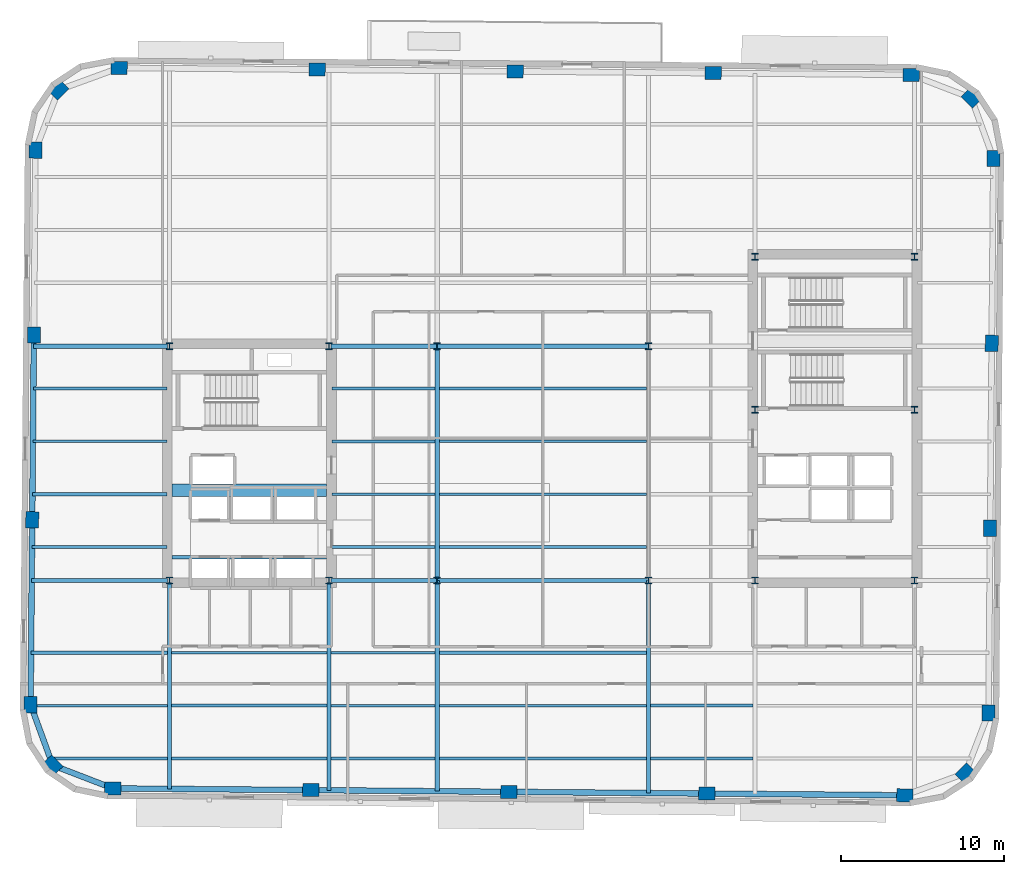
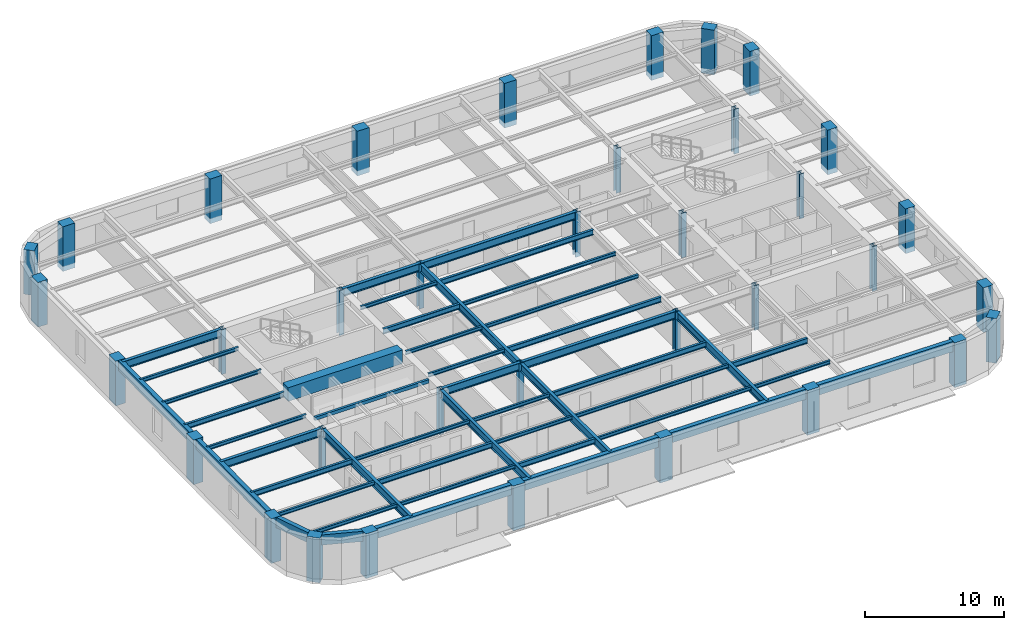
# One storey, part 1 of 11: 47 beams, 36 columns.
"""IFC4 building model written with IfcOpenShell, lengths in metres."""

import ifcopenshell
import ifcopenshell.guid

model = None  # the IFC model being written
_history = None  # IfcOwnerHistory: only IFC2X3 demands one
_inside = {}  # id of a spatial element -> (the spatial element, [elements in it])
_under = {}  # id of a project, library or spatial element -> (it, [spatial elements below it])
_declared = {}  # id of a project -> (the project, [libraries it declares])
_typed = {}  # id of a type object -> (the type object, [elements of that type])
_made_of = {}  # id of a material, layer set ... -> (it, [elements and type objects made of it])


def new_model(schema):
    """Start an empty IFC model of exactly this schema.

    Asked for "IFC4X3", IfcOpenShell would pick the latest addendum, in which some entities
    have other attributes; the version numbers below select the first issue.
    IFC2X3 requires an IfcOwnerHistory on every rooted entity: one is made here for all.
    """
    global model, _history
    if schema == "IFC4X3":
        model = ifcopenshell.file(schema_version=(4, 3, 0, 0))
    else:
        model = ifcopenshell.file(schema=schema)
    _inside.clear()
    _under.clear()
    _declared.clear()
    _typed.clear()
    _made_of.clear()
    _history = None
    if model.schema == "IFC2X3":
        org = make("IfcOrganization", Name="unknown")
        user = make(
            "IfcPersonAndOrganization",
            ThePerson=make("IfcPerson", FamilyName="unknown"),
            TheOrganization=org,
        )
        app = make(
            "IfcApplication",
            ApplicationDeveloper=org,
            Version="unknown",
            ApplicationFullName="unknown",
            ApplicationIdentifier="unknown",
        )
        _history = make(
            "IfcOwnerHistory",
            OwningUser=user,
            OwningApplication=app,
            ChangeAction="ADDED",
            CreationDate=0,
        )
    return model


def make(cls, **values):
    """One entity of the class cls with the attributes given. An attribute that is None is left unset."""
    return model.create_entity(
        cls, **{name: value for name, value in values.items() if value is not None}
    )


def rooted(cls, **values):
    """An entity with a GlobalId (a new one), such as an element, a storey or a relation."""
    return make(cls, GlobalId=ifcopenshell.guid.new(), OwnerHistory=_history, **values)


def si_unit(unit_type, name, prefix=None):
    """IfcSIUnit, for example si_unit("LENGTHUNIT", "METRE", prefix="MILLI")."""
    return make("IfcSIUnit", UnitType=unit_type, Prefix=prefix, Name=name)


def assignment(units):
    """IfcUnitAssignment: the units of a project."""
    return None if units is None else make("IfcUnitAssignment", Units=units)


def point(xyz):
    """IfcCartesianPoint."""
    return None if xyz is None else make("IfcCartesianPoint", Coordinates=xyz)


def direction(xyz):
    """IfcDirection."""
    return None if xyz is None else make("IfcDirection", DirectionRatios=xyz)


def frame(location, z_axis=None, x_axis=None):
    """IfcAxis2Placement3D, a coordinate frame: its origin and axes. An axis left out is left unset."""
    return make(
        "IfcAxis2Placement3D",
        Location=point(location),
        Axis=direction(z_axis),
        RefDirection=direction(x_axis),
    )


def frame_2d(location, x_axis=None):
    """IfcAxis2Placement2D, a coordinate frame in the plane: its origin and x axis."""
    return make(
        "IfcAxis2Placement2D", Location=point(location), RefDirection=direction(x_axis)
    )


def origin():
    """The frame at (0, 0, 0) with its axes left unset."""
    return frame((0.0, 0.0, 0.0))


def origin_2d():
    """The frame at (0, 0) in the plane with its x axis left unset."""
    return frame_2d((0.0, 0.0))


def place(relative_to, where):
    """IfcLocalPlacement: puts the frame where relative to a parent placement (None: the world)."""
    return make(
        "IfcLocalPlacement", PlacementRelTo=relative_to, RelativePlacement=where
    )


def context(
    kind, dimensions, precision=None, world=None, true_north=None, identifier=None
):
    """IfcGeometricRepresentationContext, for example the 3D "Model" context."""
    return make(
        "IfcGeometricRepresentationContext",
        ContextIdentifier=identifier,
        ContextType=kind,
        CoordinateSpaceDimension=dimensions,
        Precision=precision,
        WorldCoordinateSystem=world,
        TrueNorth=true_north,
    )


def subcontext(parent, identifier, kind, view, scale=None):
    """IfcGeometricRepresentationSubContext, for example "Body" below "Model"."""
    return make(
        "IfcGeometricRepresentationSubContext",
        ContextIdentifier=identifier,
        ContextType=kind,
        ParentContext=parent,
        TargetScale=scale,
        TargetView=view,
    )


def project(units=None, contexts=None):
    """IfcProject with its units and contexts."""
    return rooted(
        "IfcProject",
        Name="project",
        RepresentationContexts=contexts,
        UnitsInContext=assignment(units),
    )


def spatial(cls, under=None, at=None, **own):
    """A site, building, storey or space (cls), placed at a placement, below another one or the project."""
    s = rooted(cls, ObjectPlacement=at, **own)
    if under is not None:
        _under.setdefault(under.id(), (under, []))[1].append(s)
    return s


def profile(cls, at=None, kind="AREA", **sizes):
    """A parametric profile (cls). Its sizes go by their IFC names, for example OverallWidth=200.0."""
    return make(cls, ProfileType=kind, Position=at, **sizes)


def rectangle(**sizes):
    """IfcRectangleProfileDef."""
    return profile("IfcRectangleProfileDef", **sizes)


def hollow_rectangle(**sizes):
    """IfcRectangleHollowProfileDef."""
    return profile("IfcRectangleHollowProfileDef", **sizes)


def i_section(**sizes):
    """IfcIShapeProfileDef."""
    return profile("IfcIShapeProfileDef", **sizes)


def extrude(swept, where, along, depth):
    """IfcExtrudedAreaSolid: the profile swept, set in the frame where, extruded along a direction by depth."""
    return make(
        "IfcExtrudedAreaSolid",
        SweptArea=swept,
        Position=where,
        ExtrudedDirection=direction(along),
        Depth=depth,
    )


def shape(context_of_items, identifier, shape_type, items):
    """IfcShapeRepresentation: the items that make up one representation, for example the "Body"."""
    return make(
        "IfcShapeRepresentation",
        ContextOfItems=context_of_items,
        RepresentationIdentifier=identifier,
        RepresentationType=shape_type,
        Items=items,
    )


def material(Name=None, Category=None):
    """IfcMaterial."""
    return make("IfcMaterial", Name=Name, Category=Category)


def material_profile(
    of_material, cross_section, Name=None, Category=None, Priority=None
):
    """IfcMaterialProfile: a cross section and its material."""
    return make(
        "IfcMaterialProfile",
        Name=Name,
        Material=of_material,
        Profile=cross_section,
        Priority=Priority,
        Category=Category,
    )


def profile_set(profiles, Name=None, composite=None):
    """IfcMaterialProfileSet."""
    return make(
        "IfcMaterialProfileSet",
        Name=Name,
        MaterialProfiles=profiles,
        CompositeProfile=composite,
    )


def made_of(thing, what):
    """Note that an element or type object is made of a material, layer set ...; save() writes the relation."""
    if what is not None:
        _made_of.setdefault(what.id(), (what, []))[1].append(thing)
    return thing


def type_object(cls, material=None, **own):
    """A type object (cls), such as IfcWallType, which elements share."""
    return made_of(rooted(cls, **own), material)


def element(
    cls,
    number,
    at=None,
    inside=None,
    cuts=None,
    type_object=None,
    material=None,
    context=None,
    identifier="Body",
    shape_type=None,
    held_by="IfcProductDefinitionShape",
    body=None,
    shapes=None,
    **own,
):
    """One element of the class cls, such as IfcWall. Its Tag is "e" and its number.

    at: its placement. inside: the storey or other place that contains it. cuts: it is an
    opening in that element (IfcRelVoidsElement). A single representation is given by context,
    identifier, shape_type and body (its items); several are given by shapes. held_by: the class
    of the entity that holds the representations. save() writes the other relations.
    """
    e = rooted(cls, Tag="e%d" % number, ObjectPlacement=at, **own)
    if body is not None:
        shapes = [shape(context, identifier, shape_type, body)]
    if shapes is not None:
        e.Representation = make(held_by, Representations=shapes)
    if inside is not None:
        _inside.setdefault(inside.id(), (inside, []))[1].append(e)
    if cuts is not None:
        rooted(
            "IfcRelVoidsElement", RelatingBuildingElement=cuts, RelatedOpeningElement=e
        )
    if type_object is not None:
        _typed.setdefault(type_object.id(), (type_object, []))[1].append(e)
    return made_of(e, material)


def aggregate(whole, parts):
    """IfcRelAggregates: a whole, such as a stair, and the parts it consists of."""
    return rooted("IfcRelAggregates", RelatingObject=whole, RelatedObjects=parts)


def save(model, path):
    """Write the relations noted so far, then the file.

    IfcRelAggregates (storeys below a building ...), IfcRelContainedInSpatialStructure (elements
    in a storey), IfcRelDefinesByType, IfcRelAssociatesMaterial and IfcRelDeclares: one each for
    every whole, place, type object, material and project.
    """
    for whole, parts in _under.values():
        aggregate(whole, parts)
    for where, things in _inside.values():
        rooted(
            "IfcRelContainedInSpatialStructure",
            RelatedElements=things,
            RelatingStructure=where,
        )
    for kind, things in _typed.values():
        rooted("IfcRelDefinesByType", RelatedObjects=things, RelatingType=kind)
    for what, things in _made_of.values():
        rooted("IfcRelAssociatesMaterial", RelatedObjects=things, RelatingMaterial=what)
    for by, libraries in _declared.values():
        rooted("IfcRelDeclares", RelatingContext=by, RelatedDefinitions=libraries)
    model.write(path)


model = new_model("IFC4")

# Units and contexts
model_context = context("Model", 3, precision=1e-05, world=origin(), true_north=direction((0.0, 1.0)))
body_context = subcontext(model_context, "Body", "Model", "MODEL_VIEW")
ifc_project = project(units=[si_unit("LENGTHUNIT", "METRE"), si_unit("AREAUNIT", "SQUARE_METRE"), si_unit("VOLUMEUNIT", "CUBIC_METRE"), si_unit("PLANEANGLEUNIT", "RADIAN"), si_unit("MASSUNIT", "GRAM", prefix="KILO")], contexts=[model_context])

# Site, building, storey
site_placement = place(None, origin())
site = spatial("IfcSite", under=ifc_project, at=site_placement, CompositionType="ELEMENT")
building_placement = place(site_placement, origin())
building = spatial("IfcBuilding", under=site, at=building_placement, Name="Kolvaren Arena Tower", CompositionType="ELEMENT")
storey_placement = place(building_placement, frame((0.0, 0.0, 158.449951171875)))
storey = spatial("IfcBuildingStorey", under=building, at=storey_placement, Name="L37", CompositionType="ELEMENT", Elevation=158.449951171875)

# Columns
ifc_material_1 = material(Name="Precast concrete C60/75", Category="concrete")
ifc_material_profile_1 = material_profile(ifc_material_1, rectangle(XDim=1.0, YDim=0.800048828125, at=origin_2d()), Name="RC-1000x800")
ifc_profile_set_1 = profile_set([ifc_material_profile_1], Name="Precast concrete C60/75")
column_type_1 = type_object("IfcColumnType", Name="EXCOL-Z3", PredefinedType="COLUMN", material=ifc_profile_set_1)
for number, where, z_axis, x_axis, name in (
    (1, (11.0576171875, 6.663330078125, -0.449951171875), (0.0, 0.0, 1.0), (0.999961923064, -0.008726535498, 0.0), "Exoskeleton Perimeter Column 01 (L37)"),
    (2, (23.232177734375, 6.55712890625, -0.449951171875), (0.0, 0.0, 1.0), (0.999961923064, -0.008726535498, 0.0), "Exoskeleton Perimeter Column 02 (L37)"),
    (3, (35.40673828125, 6.45068359375, -0.449951171875), (0.0, 0.0, 1.0), (0.999961923064, -0.008726535498, 0.0), "Exoskeleton Perimeter Column 03 (L37)"),
    (4, (47.581298828125, 6.344482421875, -0.449951171875), (0.0, 0.0, 1.0), (0.999961923064, -0.008726535498, 0.0), "Exoskeleton Perimeter Column 04 (L37)"),
    (5, (59.755859375, 6.23828125, -0.449951171875), (0.0, 0.0, 1.0), (0.999961923064, -0.008726535498, 0.0), "Exoskeleton Perimeter Column 05 (L37)"),
    (6, (63.4765625, 7.59716796875, -0.449951171875), (0.0, 0.0, 1.0), (0.713250449154, 0.7009092643, 0.0), "Exoskeleton Perimeter Column 06 (L37)"),
    (7, (64.900146484375, 11.293701171875, -0.449951171875), (0.0, 0.0, 1.0), (0.008726535498, 0.999961923064, 0.0), "Exoskeleton Perimeter Column 07 (L37)"),
    (8, (64.999267578125, 22.659912109375, -0.449951171875), (0.0, 0.0, 1.0), (0.008726535498, 0.999961923064, 0.0), "Exoskeleton Perimeter Column 08 (L37)"),
    (9, (65.098388671875, 34.026123046875, -0.449951171875), (0.0, 0.0, 1.0), (0.008726535498, 0.999961923064, 0.0), "Exoskeleton Perimeter Column 09 (L37)"),
    (10, (65.19775390625, 45.392333984375, -0.449951171875), (0.0, 0.0, 1.0), (0.008726535498, 0.999961923064, 0.0), "Exoskeleton Perimeter Column 10 (L37)"),
    (11, (63.8388671875, 49.113037109375, -0.449951171875), (0.0, 0.0, 1.0), (-0.7009092643, 0.713250449154, 0.0), "Exoskeleton Perimeter Column 11 (L37)"),
    (12, (60.142333984375, 50.53662109375, -0.449951171875), (0.0, 0.0, 1.0), (0.999961923064, -0.008726535498, 0.0), "Exoskeleton Perimeter Column 12 (L37)"),
    (13, (47.9677734375, 50.642822265625, -0.449951171875), (0.0, 0.0, 1.0), (0.999961923064, -0.008726535498, 0.0), "Exoskeleton Perimeter Column 13 (L37)"),
    (14, (35.793212890625, 50.749267578125, -0.449951171875), (0.0, 0.0, 1.0), (0.999961923064, -0.008726535498, 0.0), "Exoskeleton Perimeter Column 14 (L37)"),
    (15, (23.618896484375, 50.85546875, -0.449951171875), (0.0, 0.0, 1.0), (0.999961923064, -0.008726535498, 0.0), "Exoskeleton Perimeter Column 15 (L37)"),
    (16, (11.444091796875, 50.961669921875, -0.449951171875), (0.0, 0.0, 1.0), (0.999961923064, -0.008726535498, 0.0), "Exoskeleton Perimeter Column 16 (L37)"),
    (17, (7.723388671875, 49.602783203125, -0.449951171875), (0.0, 0.0, 1.0), (0.713250449154, 0.7009092643, 0.0), "Exoskeleton Perimeter Column 17 (L37)"),
    (18, (6.2998046875, 45.90625, -0.449951171875), (0.0, 0.0, 1.0), (0.008726535498, 0.999961923064, 0.0), "Exoskeleton Perimeter Column 18 (L37)"),
    (19, (6.20068359375, 34.5400390625, -0.449951171875), (0.0, 0.0, 1.0), (0.008726535498, 0.999961923064, 0.0), "Exoskeleton Perimeter Column 19 (L37)"),
    (20, (6.1015625, 23.173828125, -0.449951171875), (0.0, 0.0, 1.0), (0.008726535498, 0.999961923064, 0.0), "Exoskeleton Perimeter Column 20 (L37)"),
    (21, (6.002197265625, 11.8076171875, -0.449951171875), (0.0, 0.0, 1.0), (0.008726535498, 0.999961923064, 0.0), "Exoskeleton Perimeter Column 21 (L37)"),
    (22, (7.361083984375, 8.0869140625, -0.449951171875), (0.0, 0.0, 1.0), (-0.7009092643, 0.713250449154, 0.0), "Exoskeleton Perimeter Column 22 (L37)"),
):
    element("IfcColumn", number, at=place(storey_placement, frame(where, z_axis=z_axis, x_axis=x_axis)), inside=storey, type_object=column_type_1, Name=name, PredefinedType="COLUMN", context=body_context, shape_type="SweptSolid", body=[
        extrude(rectangle(XDim=1.0, YDim=0.800048828125, at=origin_2d()), origin(), (0.0, 0.0, 1.0), 3.929931640625),
    ])
ifc_material_2 = material(Name="Steel ASTM A913 Grade 65", Category="steel")
ifc_material_profile_2 = material_profile(ifc_material_2, i_section(OverallWidth=0.406005859375, OverallDepth=0.416015625, WebThickness=0.02978515625, FlangeThickness=0.048095703125, FilletRadius=0.02001953125, at=origin_2d()), Name="W360x382")
ifc_profile_set_2 = profile_set([ifc_material_profile_2], Name="Steel ASTM A913 Grade 65")
column_type_2 = type_object("IfcColumnType", Name="SCOL-Z3", PredefinedType="COLUMN", material=ifc_profile_set_2)
for number, where, z_axis, x_axis, name in (
    (23, (14.550048828125, 19.449951171875, -0.449951171875), (0.0, 0.0, 1.0), (1.0, 0.0, 0.0), "Core Boundary Column WC-SW (L37)"),
    (24, (24.35009765625, 19.449951171875, -0.449951171875), (0.0, 0.0, 1.0), (1.0, 0.0, 0.0), "Core Boundary Column WC-SE (L37)"),
    (25, (14.550048828125, 33.85009765625, -0.449951171875), (0.0, 0.0, 1.0), (1.0, 0.0, 0.0), "Core Boundary Column WC-NW (L37)"),
    (26, (24.35009765625, 33.85009765625, -0.449951171875), (0.0, 0.0, 1.0), (1.0, 0.0, 0.0), "Core Boundary Column WC-NE (L37)"),
    (27, (50.550048828125, 19.449951171875, -0.449951171875), (0.0, 0.0, 1.0), (1.0, 0.0, 0.0), "Core Boundary Column EC-SW (L37)"),
    (28, (60.35009765625, 19.449951171875, -0.449951171875), (0.0, 0.0, 1.0), (1.0, 0.0, 0.0), "Core Boundary Column EC-SE (L37)"),
    (29, (50.550048828125, 29.949951171875, -0.449951171875), (0.0, 0.0, 1.0), (1.0, 0.0, 0.0), "Core Boundary Column EC-MW (L37)"),
    (30, (60.35009765625, 29.949951171875, -0.449951171875), (0.0, 0.0, 1.0), (1.0, 0.0, 0.0), "Core Boundary Column EC-ME (L37)"),
    (31, (50.550048828125, 39.35009765625, -0.449951171875), (0.0, 0.0, 1.0), (1.0, 0.0, 0.0), "Core Boundary Column EC-NW (L37)"),
    (32, (60.35009765625, 39.35009765625, -0.449951171875), (0.0, 0.0, 1.0), (1.0, 0.0, 0.0), "Core Boundary Column EC-NE (L37)"),
    (33, (31.0, 19.449951171875, -0.449951171875), (0.0, 0.0, 1.0), (1.0, 0.0, 0.0), "Interior Gravity Column TC-SW (L37)"),
    (34, (44.0, 19.449951171875, -0.449951171875), (0.0, 0.0, 1.0), (1.0, 0.0, 0.0), "Interior Gravity Column TC-SE (L37)"),
    (35, (31.0, 33.85009765625, -0.449951171875), (0.0, 0.0, 1.0), (1.0, 0.0, 0.0), "Interior Gravity Column TC-NW (L37)"),
    (36, (44.0, 33.85009765625, -0.449951171875), (0.0, 0.0, 1.0), (1.0, 0.0, 0.0), "Interior Gravity Column TC-NE (L37)"),
):
    element("IfcColumn", number, at=place(storey_placement, frame(where, z_axis=z_axis, x_axis=x_axis)), inside=storey, type_object=column_type_2, Name=name, PredefinedType="COLUMN", context=body_context, shape_type="SweptSolid", body=[
        extrude(i_section(OverallWidth=0.406005859375, OverallDepth=0.416015625, WebThickness=0.02978515625, FlangeThickness=0.048095703125, FilletRadius=0.02001953125, at=origin_2d()), origin(), (0.0, 0.0, 1.0), 3.929931640625),
    ])

# Beams
ifc_material_3 = material(Name="Steel CSA G40.21 350W", Category="steel")
ifc_material_profile_3 = material_profile(ifc_material_3, i_section(OverallWidth=0.193115234375, OverallDepth=0.462890625, WebThickness=0.0107421875, FlangeThickness=0.0205078125, FilletRadius=0.012939453125, at=origin_2d()), Name="W460x113")
ifc_profile_set_3 = profile_set([ifc_material_profile_3], Name="Steel CSA G40.21 350W")
beam_type_1 = type_object("IfcBeamType", Name="BEAM-F2", PredefinedType="BEAM", material=ifc_profile_set_3)
beam_1_placement = place(storey_placement, frame((24.4775390625, 8.5, 3.24853515625), z_axis=(1.0, 0.0, 0.0), x_axis=(0.0, 1.0, 0.0)))
element("IfcBeam", 37, at=beam_1_placement, inside=storey, type_object=beam_type_1, Name="Composite Floor Beam (L37)", PredefinedType="BEAM", context=body_context, shape_type="SweptSolid", body=[
    extrude(i_section(OverallWidth=0.193115234375, OverallDepth=0.462890625, WebThickness=0.0107421875, FlangeThickness=0.0205078125, FilletRadius=0.012939453125, at=origin_2d()), origin(), (0.0, 0.0, 1.0), 6.39501953125),
])
beam_2_placement = place(storey_placement, frame((14.677490234375, 11.75, 3.24853515625), z_axis=(1.0, 0.0, 0.0), x_axis=(0.0, 1.0, 0.0)))
element("IfcBeam", 38, at=beam_2_placement, inside=storey, type_object=beam_type_1, Name="Composite Floor Beam (L37)", PredefinedType="BEAM", context=body_context, shape_type="SweptSolid", body=[
    extrude(i_section(OverallWidth=0.193115234375, OverallDepth=0.462890625, WebThickness=0.0107421875, FlangeThickness=0.0205078125, FilletRadius=0.012939453125, at=origin_2d()), origin(), (0.0, 0.0, 1.0), 9.544921875),
])
beam_3_placement = place(storey_placement, frame((44.12744140625, 11.75, 3.24853515625), z_axis=(1.0, 0.0, 0.0), x_axis=(0.0, 1.0, 0.0)))
element("IfcBeam", 39, at=beam_3_placement, inside=storey, type_object=beam_type_1, Name="Composite Floor Beam (L37)", PredefinedType="BEAM", context=body_context, shape_type="SweptSolid", body=[
    extrude(i_section(OverallWidth=0.193115234375, OverallDepth=0.462890625, WebThickness=0.0107421875, FlangeThickness=0.0205078125, FilletRadius=0.012939453125, at=origin_2d()), origin(), (0.0, 0.0, 1.0), 6.295166015625),
])
beam_4_placement = place(storey_placement, frame((6.0302734375, 15.0, 3.24853515625), z_axis=(1.0, 0.0, 0.0), x_axis=(0.0, 1.0, 0.0)))
element("IfcBeam", 40, at=beam_4_placement, inside=storey, type_object=beam_type_1, Name="Composite Floor Beam (L37)", PredefinedType="BEAM", context=body_context, shape_type="SweptSolid", body=[
    extrude(i_section(OverallWidth=0.193115234375, OverallDepth=0.462890625, WebThickness=0.0107421875, FlangeThickness=0.0205078125, FilletRadius=0.012939453125, at=origin_2d()), origin(), (0.0, 0.0, 1.0), 8.392333984375),
])
for number, where, z_axis, x_axis, name in (
    (41, (31.12744140625, 15.0, 3.24853515625), (1.0, 0.0, 0.0), (0.0, 1.0, 0.0), "Composite Floor Beam (L37)"),
    (42, (31.12744140625, 21.5, 3.24853515625), (1.0, 0.0, 0.0), (0.0, 1.0, 0.0), "Composite Floor Beam (L37)"),
):
    element("IfcBeam", number, at=place(storey_placement, frame(where, z_axis=z_axis, x_axis=x_axis)), inside=storey, type_object=beam_type_1, Name=name, PredefinedType="BEAM", context=body_context, shape_type="SweptSolid", body=[
        extrude(i_section(OverallWidth=0.193115234375, OverallDepth=0.462890625, WebThickness=0.0107421875, FlangeThickness=0.0205078125, FilletRadius=0.012939453125, at=origin_2d()), origin(), (0.0, 0.0, 1.0), 12.7451171875),
    ])
beam_5_placement = place(storey_placement, frame((6.115234375, 24.75, 3.24853515625), z_axis=(1.0, 0.0, 0.0), x_axis=(0.0, 1.0, 0.0)))
element("IfcBeam", 43, at=beam_5_placement, inside=storey, type_object=beam_type_1, Name="Composite Floor Beam (L37)", PredefinedType="BEAM", context=body_context, shape_type="SweptSolid", body=[
    extrude(i_section(OverallWidth=0.193115234375, OverallDepth=0.462890625, WebThickness=0.0107421875, FlangeThickness=0.0205078125, FilletRadius=0.012939453125, at=origin_2d()), origin(), (0.0, 0.0, 1.0), 8.2646484375),
])
beam_6_placement = place(storey_placement, frame((24.52001953125, 28.0, 3.24853515625), z_axis=(1.0, 0.0, 0.0), x_axis=(0.0, 1.0, 0.0)))
element("IfcBeam", 44, at=beam_6_placement, inside=storey, type_object=beam_type_1, Name="Composite Floor Beam (L37)", PredefinedType="BEAM", context=body_context, shape_type="SweptSolid", body=[
    extrude(i_section(OverallWidth=0.193115234375, OverallDepth=0.462890625, WebThickness=0.0107421875, FlangeThickness=0.0205078125, FilletRadius=0.012939453125, at=origin_2d()), origin(), (0.0, 0.0, 1.0), 6.3525390625),
])
beam_7_placement = place(storey_placement, frame((31.12744140625, 31.25, 3.24853515625), z_axis=(1.0, 0.0, 0.0), x_axis=(0.0, 1.0, 0.0)))
element("IfcBeam", 45, at=beam_7_placement, inside=storey, type_object=beam_type_1, Name="Composite Floor Beam (L37)", PredefinedType="BEAM", context=body_context, shape_type="SweptSolid", body=[
    extrude(i_section(OverallWidth=0.193115234375, OverallDepth=0.462890625, WebThickness=0.0107421875, FlangeThickness=0.0205078125, FilletRadius=0.012939453125, at=origin_2d()), origin(), (0.0, 0.0, 1.0), 12.7451171875),
])
ifc_material_4 = material(Name="Concrete 60 MPa", Category="concrete")
ifc_material_profile_4 = material_profile(ifc_material_4, rectangle(XDim=0.75, YDim=1.199951171875, at=origin_2d()), Name="RC-750x1200")
ifc_profile_set_4 = profile_set([ifc_material_profile_4], Name="Concrete 60 MPa")
beam_type_2 = type_object("IfcBeamType", Name="CB-CORE-2", PredefinedType="BEAM", material=ifc_profile_set_4)
beam_8_placement = place(storey_placement, frame((14.699951171875, 25.0, 3.150146484375), z_axis=(1.0, 0.0, 0.0), x_axis=(0.0, 1.0, 0.0)))
element("IfcBeam", 46, at=beam_8_placement, inside=storey, type_object=beam_type_2, Name="West Core Coupling Beam (L37)", PredefinedType="BEAM", context=body_context, shape_type="SweptSolid", body=[
    extrude(rectangle(XDim=0.75, YDim=1.199951171875, at=origin_2d()), origin(), (0.0, 0.0, 1.0), 9.5),
])
ifc_material_profile_5 = material_profile(ifc_material_3, i_section(OverallWidth=0.2548828125, OverallDepth=0.695068359375, WebThickness=0.01708984375, FlangeThickness=0.02978515625, FilletRadius=0.01611328125, at=origin_2d()), Name="W690x217")
ifc_profile_set_5 = profile_set([ifc_material_profile_5], Name="Steel CSA G40.21 350W")
beam_type_3 = type_object("IfcBeamType", Name="GIRD-T2", PredefinedType="BEAM", material=ifc_profile_set_5)
beam_9_placement = place(storey_placement, frame((6.069091796875, 19.449951171875, 3.132568359375), z_axis=(1.0, 0.0, 0.0), x_axis=(0.0, 1.0, 0.0)))
element("IfcBeam", 47, at=beam_9_placement, inside=storey, type_object=beam_type_3, Name="Primary Floor Girder (L37)", PredefinedType="BEAM", context=body_context, shape_type="SweptSolid", body=[
    extrude(i_section(OverallWidth=0.2548828125, OverallDepth=0.695068359375, WebThickness=0.01708984375, FlangeThickness=0.02978515625, FilletRadius=0.01611328125, at=origin_2d()), origin(), (0.0, 0.0, 1.0), 8.350830078125),
])
beam_10_placement = place(storey_placement, frame((24.47998046875, 19.449951171875, 3.132568359375), z_axis=(1.0, 0.0, 0.0), x_axis=(0.0, 1.0, 0.0)))
element("IfcBeam", 48, at=beam_10_placement, inside=storey, type_object=beam_type_3, Name="Primary Floor Girder (L37)", PredefinedType="BEAM", context=body_context, shape_type="SweptSolid", body=[
    extrude(i_section(OverallWidth=0.2548828125, OverallDepth=0.695068359375, WebThickness=0.01708984375, FlangeThickness=0.02978515625, FilletRadius=0.01611328125, at=origin_2d()), origin(), (0.0, 0.0, 1.0), 6.52001953125),
])
beam_11_placement = place(storey_placement, frame((31.0, 19.449951171875, 3.132568359375), z_axis=(1.0, 0.0, 0.0), x_axis=(0.0, 1.0, 0.0)))
element("IfcBeam", 49, at=beam_11_placement, inside=storey, type_object=beam_type_3, Name="Primary Floor Girder (L37)", PredefinedType="BEAM", context=body_context, shape_type="SweptSolid", body=[
    extrude(i_section(OverallWidth=0.2548828125, OverallDepth=0.695068359375, WebThickness=0.01708984375, FlangeThickness=0.02978515625, FilletRadius=0.01611328125, at=origin_2d()), origin(), (0.0, 0.0, 1.0), 13.0),
])
beam_12_placement = place(storey_placement, frame((6.194580078125, 33.85009765625, 3.132568359375), z_axis=(1.0, 0.0, 0.0), x_axis=(0.0, 1.0, 0.0)))
element("IfcBeam", 50, at=beam_12_placement, inside=storey, type_object=beam_type_3, Name="Primary Floor Girder (L37)", PredefinedType="BEAM", context=body_context, shape_type="SweptSolid", body=[
    extrude(i_section(OverallWidth=0.2548828125, OverallDepth=0.695068359375, WebThickness=0.01708984375, FlangeThickness=0.02978515625, FilletRadius=0.01611328125, at=origin_2d()), origin(), (0.0, 0.0, 1.0), 8.225341796875),
])
beam_13_placement = place(storey_placement, frame((24.47998046875, 33.85009765625, 3.132568359375), z_axis=(1.0, 0.0, 0.0), x_axis=(0.0, 1.0, 0.0)))
element("IfcBeam", 51, at=beam_13_placement, inside=storey, type_object=beam_type_3, Name="Primary Floor Girder (L37)", PredefinedType="BEAM", context=body_context, shape_type="SweptSolid", body=[
    extrude(i_section(OverallWidth=0.2548828125, OverallDepth=0.695068359375, WebThickness=0.01708984375, FlangeThickness=0.02978515625, FilletRadius=0.01611328125, at=origin_2d()), origin(), (0.0, 0.0, 1.0), 6.52001953125),
])
beam_14_placement = place(storey_placement, frame((31.0, 33.85009765625, 3.132568359375), z_axis=(1.0, 0.0, 0.0), x_axis=(0.0, 1.0, 0.0)))
element("IfcBeam", 52, at=beam_14_placement, inside=storey, type_object=beam_type_3, Name="Primary Floor Girder (L37)", PredefinedType="BEAM", context=body_context, shape_type="SweptSolid", body=[
    extrude(i_section(OverallWidth=0.2548828125, OverallDepth=0.695068359375, WebThickness=0.01708984375, FlangeThickness=0.02978515625, FilletRadius=0.01611328125, at=origin_2d()), origin(), (0.0, 0.0, 1.0), 13.0),
])
beam_15_placement = place(storey_placement, frame((14.550048828125, 6.6328125, 3.132568359375), z_axis=(0.0, 1.0, 0.0), x_axis=(-1.0, 0.0, 0.0)))
element("IfcBeam", 53, at=beam_15_placement, inside=storey, type_object=beam_type_3, Name="Primary Floor Girder (L37)", PredefinedType="BEAM", context=body_context, shape_type="SweptSolid", body=[
    extrude(i_section(OverallWidth=0.2548828125, OverallDepth=0.695068359375, WebThickness=0.01708984375, FlangeThickness=0.02978515625, FilletRadius=0.01611328125, at=origin_2d()), origin(), (0.0, 0.0, 1.0), 12.687255859375),
])
beam_16_placement = place(storey_placement, frame((24.35009765625, 6.54736328125, 3.132568359375), z_axis=(0.0, 1.0, 0.0), x_axis=(-1.0, 0.0, 0.0)))
element("IfcBeam", 54, at=beam_16_placement, inside=storey, type_object=beam_type_3, Name="Primary Floor Girder (L37)", PredefinedType="BEAM", context=body_context, shape_type="SweptSolid", body=[
    extrude(i_section(OverallWidth=0.2548828125, OverallDepth=0.695068359375, WebThickness=0.01708984375, FlangeThickness=0.02978515625, FilletRadius=0.01611328125, at=origin_2d()), origin(), (0.0, 0.0, 1.0), 12.772705078125),
])
beam_17_placement = place(storey_placement, frame((31.0, 6.4892578125, 3.132568359375), z_axis=(0.0, 1.0, 0.0), x_axis=(-1.0, 0.0, 0.0)))
element("IfcBeam", 55, at=beam_17_placement, inside=storey, type_object=beam_type_3, Name="Primary Floor Girder (L37)", PredefinedType="BEAM", context=body_context, shape_type="SweptSolid", body=[
    extrude(i_section(OverallWidth=0.2548828125, OverallDepth=0.695068359375, WebThickness=0.01708984375, FlangeThickness=0.02978515625, FilletRadius=0.01611328125, at=origin_2d()), origin(), (0.0, 0.0, 1.0), 12.960693359375),
])
beam_18_placement = place(storey_placement, frame((31.0, 19.449951171875, 3.132568359375), z_axis=(0.0, 1.0, 0.0), x_axis=(-1.0, 0.0, 0.0)))
element("IfcBeam", 56, at=beam_18_placement, inside=storey, type_object=beam_type_3, Name="Primary Floor Girder (L37)", PredefinedType="BEAM", context=body_context, shape_type="SweptSolid", body=[
    extrude(i_section(OverallWidth=0.2548828125, OverallDepth=0.695068359375, WebThickness=0.01708984375, FlangeThickness=0.02978515625, FilletRadius=0.01611328125, at=origin_2d()), origin(), (0.0, 0.0, 1.0), 14.400146484375),
])
beam_19_placement = place(storey_placement, frame((44.0, 6.375732421875, 3.132568359375), z_axis=(0.0, 1.0, 0.0), x_axis=(-1.0, 0.0, 0.0)))
element("IfcBeam", 57, at=beam_19_placement, inside=storey, type_object=beam_type_3, Name="Primary Floor Girder (L37)", PredefinedType="BEAM", context=body_context, shape_type="SweptSolid", body=[
    extrude(i_section(OverallWidth=0.2548828125, OverallDepth=0.695068359375, WebThickness=0.01708984375, FlangeThickness=0.02978515625, FilletRadius=0.01611328125, at=origin_2d()), origin(), (0.0, 0.0, 1.0), 13.07421875),
])
ifc_material_profile_6 = material_profile(ifc_material_3, i_section(OverallWidth=0.1669921875, OverallDepth=0.31689453125, WebThickness=0.007568359375, FlangeThickness=0.01318359375, FilletRadius=0.010009765625, at=origin_2d()), Name="W310x52")
ifc_profile_set_6 = profile_set([ifc_material_profile_6], Name="Steel CSA G40.21 350W")
beam_type_4 = type_object("IfcBeamType", Name="JOIST-02", PredefinedType="JOIST", material=ifc_profile_set_6)
beam_20_placement = place(storey_placement, frame((7.210205078125, 8.5, 3.321533203125), z_axis=(1.0, 0.0, 0.0), x_axis=(0.0, 1.0, 0.0)))
element("IfcBeam", 58, at=beam_20_placement, inside=storey, type_object=beam_type_4, Name="Composite Floor Joist (L37)", PredefinedType="JOIST", context=body_context, shape_type="SweptSolid", body=[
    extrude(i_section(OverallWidth=0.1669921875, OverallDepth=0.31689453125, WebThickness=0.007568359375, FlangeThickness=0.01318359375, FilletRadius=0.010009765625, at=origin_2d()), origin(), (0.0, 0.0, 1.0), 7.21240234375),
])
beam_21_placement = place(storey_placement, frame((14.677490234375, 8.5, 3.321533203125), z_axis=(1.0, 0.0, 0.0), x_axis=(0.0, 1.0, 0.0)))
element("IfcBeam", 59, at=beam_21_placement, inside=storey, type_object=beam_type_4, Name="Composite Floor Joist (L37)", PredefinedType="JOIST", context=body_context, shape_type="SweptSolid", body=[
    extrude(i_section(OverallWidth=0.1669921875, OverallDepth=0.31689453125, WebThickness=0.007568359375, FlangeThickness=0.01318359375, FilletRadius=0.010009765625, at=origin_2d()), origin(), (0.0, 0.0, 1.0), 9.544921875),
])
beam_22_placement = place(storey_placement, frame((31.12744140625, 8.5, 3.321533203125), z_axis=(1.0, 0.0, 0.0), x_axis=(0.0, 1.0, 0.0)))
element("IfcBeam", 60, at=beam_22_placement, inside=storey, type_object=beam_type_4, Name="Composite Floor Joist (L37)", PredefinedType="JOIST", context=body_context, shape_type="SweptSolid", body=[
    extrude(i_section(OverallWidth=0.1669921875, OverallDepth=0.31689453125, WebThickness=0.007568359375, FlangeThickness=0.01318359375, FilletRadius=0.010009765625, at=origin_2d()), origin(), (0.0, 0.0, 1.0), 12.7451171875),
])
beam_23_placement = place(storey_placement, frame((44.12744140625, 8.5, 3.321533203125), z_axis=(1.0, 0.0, 0.0), x_axis=(0.0, 1.0, 0.0)))
element("IfcBeam", 61, at=beam_23_placement, inside=storey, type_object=beam_type_4, Name="Composite Floor Joist (L37)", PredefinedType="JOIST", context=body_context, shape_type="SweptSolid", body=[
    extrude(i_section(OverallWidth=0.1669921875, OverallDepth=0.31689453125, WebThickness=0.007568359375, FlangeThickness=0.01318359375, FilletRadius=0.010009765625, at=origin_2d()), origin(), (0.0, 0.0, 1.0), 6.295166015625),
])
beam_24_placement = place(storey_placement, frame((6.023193359375, 11.75, 3.321533203125), z_axis=(1.0, 0.0, 0.0), x_axis=(0.0, 1.0, 0.0)))
element("IfcBeam", 62, at=beam_24_placement, inside=storey, type_object=beam_type_4, Name="Composite Floor Joist (L37)", PredefinedType="JOIST", context=body_context, shape_type="SweptSolid", body=[
    extrude(i_section(OverallWidth=0.1669921875, OverallDepth=0.31689453125, WebThickness=0.007568359375, FlangeThickness=0.01318359375, FilletRadius=0.010009765625, at=origin_2d()), origin(), (0.0, 0.0, 1.0), 8.3994140625),
])
beam_25_placement = place(storey_placement, frame((24.4775390625, 11.75, 3.321533203125), z_axis=(1.0, 0.0, 0.0), x_axis=(0.0, 1.0, 0.0)))
element("IfcBeam", 63, at=beam_25_placement, inside=storey, type_object=beam_type_4, Name="Composite Floor Joist (L37)", PredefinedType="JOIST", context=body_context, shape_type="SweptSolid", body=[
    extrude(i_section(OverallWidth=0.1669921875, OverallDepth=0.31689453125, WebThickness=0.007568359375, FlangeThickness=0.01318359375, FilletRadius=0.010009765625, at=origin_2d()), origin(), (0.0, 0.0, 1.0), 6.39501953125),
])
beam_26_placement = place(storey_placement, frame((31.12744140625, 11.75, 3.321533203125), z_axis=(1.0, 0.0, 0.0), x_axis=(0.0, 1.0, 0.0)))
element("IfcBeam", 64, at=beam_26_placement, inside=storey, type_object=beam_type_4, Name="Composite Floor Joist (L37)", PredefinedType="JOIST", context=body_context, shape_type="SweptSolid", body=[
    extrude(i_section(OverallWidth=0.1669921875, OverallDepth=0.31689453125, WebThickness=0.007568359375, FlangeThickness=0.01318359375, FilletRadius=0.010009765625, at=origin_2d()), origin(), (0.0, 0.0, 1.0), 12.7451171875),
])
beam_27_placement = place(storey_placement, frame((14.677490234375, 15.0, 3.321533203125), z_axis=(1.0, 0.0, 0.0), x_axis=(0.0, 1.0, 0.0)))
element("IfcBeam", 65, at=beam_27_placement, inside=storey, type_object=beam_type_4, Name="Composite Floor Joist (L37)", PredefinedType="JOIST", context=body_context, shape_type="SweptSolid", body=[
    extrude(i_section(OverallWidth=0.1669921875, OverallDepth=0.31689453125, WebThickness=0.007568359375, FlangeThickness=0.01318359375, FilletRadius=0.010009765625, at=origin_2d()), origin(), (0.0, 0.0, 1.0), 9.544921875),
])
beam_28_placement = place(storey_placement, frame((24.4775390625, 15.0, 3.321533203125), z_axis=(1.0, 0.0, 0.0), x_axis=(0.0, 1.0, 0.0)))
element("IfcBeam", 66, at=beam_28_placement, inside=storey, type_object=beam_type_4, Name="Composite Floor Joist (L37)", PredefinedType="JOIST", context=body_context, shape_type="SweptSolid", body=[
    extrude(i_section(OverallWidth=0.1669921875, OverallDepth=0.31689453125, WebThickness=0.007568359375, FlangeThickness=0.01318359375, FilletRadius=0.010009765625, at=origin_2d()), origin(), (0.0, 0.0, 1.0), 6.39501953125),
])
beam_29_placement = place(storey_placement, frame((6.0869140625, 21.5, 3.321533203125), z_axis=(1.0, 0.0, 0.0), x_axis=(0.0, 1.0, 0.0)))
element("IfcBeam", 67, at=beam_29_placement, inside=storey, type_object=beam_type_4, Name="Composite Floor Joist (L37)", PredefinedType="JOIST", context=body_context, shape_type="SweptSolid", body=[
    extrude(i_section(OverallWidth=0.1669921875, OverallDepth=0.31689453125, WebThickness=0.007568359375, FlangeThickness=0.01318359375, FilletRadius=0.010009765625, at=origin_2d()), origin(), (0.0, 0.0, 1.0), 8.29296875),
])
for number, where, z_axis, x_axis, name in (
    (68, (24.52001953125, 21.5, 3.321533203125), (1.0, 0.0, 0.0), (0.0, 1.0, 0.0), "Composite Floor Joist (L37)"),
    (69, (24.52001953125, 24.75, 3.321533203125), (1.0, 0.0, 0.0), (0.0, 1.0, 0.0), "Composite Floor Joist (L37)"),
):
    element("IfcBeam", number, at=place(storey_placement, frame(where, z_axis=z_axis, x_axis=x_axis)), inside=storey, type_object=beam_type_4, Name=name, PredefinedType="JOIST", context=body_context, shape_type="SweptSolid", body=[
        extrude(i_section(OverallWidth=0.1669921875, OverallDepth=0.31689453125, WebThickness=0.007568359375, FlangeThickness=0.01318359375, FilletRadius=0.010009765625, at=origin_2d()), origin(), (0.0, 0.0, 1.0), 6.3525390625),
    ])
beam_30_placement = place(storey_placement, frame((31.12744140625, 24.75, 3.321533203125), z_axis=(1.0, 0.0, 0.0), x_axis=(0.0, 1.0, 0.0)))
element("IfcBeam", 70, at=beam_30_placement, inside=storey, type_object=beam_type_4, Name="Composite Floor Joist (L37)", PredefinedType="JOIST", context=body_context, shape_type="SweptSolid", body=[
    extrude(i_section(OverallWidth=0.1669921875, OverallDepth=0.31689453125, WebThickness=0.007568359375, FlangeThickness=0.01318359375, FilletRadius=0.010009765625, at=origin_2d()), origin(), (0.0, 0.0, 1.0), 12.7451171875),
])
beam_31_placement = place(storey_placement, frame((6.1435546875, 28.0, 3.321533203125), z_axis=(1.0, 0.0, 0.0), x_axis=(0.0, 1.0, 0.0)))
element("IfcBeam", 71, at=beam_31_placement, inside=storey, type_object=beam_type_4, Name="Composite Floor Joist (L37)", PredefinedType="JOIST", context=body_context, shape_type="SweptSolid", body=[
    extrude(i_section(OverallWidth=0.1669921875, OverallDepth=0.31689453125, WebThickness=0.007568359375, FlangeThickness=0.01318359375, FilletRadius=0.010009765625, at=origin_2d()), origin(), (0.0, 0.0, 1.0), 8.236328125),
])
beam_32_placement = place(storey_placement, frame((31.12744140625, 28.0, 3.321533203125), z_axis=(1.0, 0.0, 0.0), x_axis=(0.0, 1.0, 0.0)))
element("IfcBeam", 72, at=beam_32_placement, inside=storey, type_object=beam_type_4, Name="Composite Floor Joist (L37)", PredefinedType="JOIST", context=body_context, shape_type="SweptSolid", body=[
    extrude(i_section(OverallWidth=0.1669921875, OverallDepth=0.31689453125, WebThickness=0.007568359375, FlangeThickness=0.01318359375, FilletRadius=0.010009765625, at=origin_2d()), origin(), (0.0, 0.0, 1.0), 12.7451171875),
])
beam_33_placement = place(storey_placement, frame((6.172119140625, 31.25, 3.321533203125), z_axis=(1.0, 0.0, 0.0), x_axis=(0.0, 1.0, 0.0)))
element("IfcBeam", 73, at=beam_33_placement, inside=storey, type_object=beam_type_4, Name="Composite Floor Joist (L37)", PredefinedType="JOIST", context=body_context, shape_type="SweptSolid", body=[
    extrude(i_section(OverallWidth=0.1669921875, OverallDepth=0.31689453125, WebThickness=0.007568359375, FlangeThickness=0.01318359375, FilletRadius=0.010009765625, at=origin_2d()), origin(), (0.0, 0.0, 1.0), 8.207763671875),
])
beam_34_placement = place(storey_placement, frame((24.52001953125, 31.25, 3.321533203125), z_axis=(1.0, 0.0, 0.0), x_axis=(0.0, 1.0, 0.0)))
element("IfcBeam", 74, at=beam_34_placement, inside=storey, type_object=beam_type_4, Name="Composite Floor Joist (L37)", PredefinedType="JOIST", context=body_context, shape_type="SweptSolid", body=[
    extrude(i_section(OverallWidth=0.1669921875, OverallDepth=0.31689453125, WebThickness=0.007568359375, FlangeThickness=0.01318359375, FilletRadius=0.010009765625, at=origin_2d()), origin(), (0.0, 0.0, 1.0), 6.3525390625),
])
ifc_material_profile_7 = material_profile(ifc_material_3, hollow_rectangle(XDim=0.199951171875, YDim=0.300048828125, WallThickness=0.011962890625, at=origin_2d()), Name="HSS 300x200x12")
ifc_profile_set_7 = profile_set([ifc_material_profile_7], Name="Steel CSA G40.21 350W")
beam_type_5 = type_object("IfcBeamType", Name="LINT-01", PredefinedType="LINTEL", material=ifc_profile_set_7)
beam_35_placement = place(storey_placement, frame((14.699951171875, 20.8798828125, 3.330078125), z_axis=(1.0, 0.0, 0.0), x_axis=(0.0, 1.0, 0.0)))
element("IfcBeam", 75, at=beam_35_placement, inside=storey, type_object=beam_type_5, Name="West Lift Lobby Portal Lintel (L37)", PredefinedType="LINTEL", context=body_context, shape_type="SweptSolid", body=[
    extrude(hollow_rectangle(XDim=0.199951171875, YDim=0.300048828125, WallThickness=0.011962890625, at=origin_2d()), origin(), (0.0, 0.0, 1.0), 9.5),
])
ifc_material_5 = material(Name="Steel CSA G40.21 350WT", Category="steel")
ifc_material_profile_8 = material_profile(ifc_material_5, hollow_rectangle(XDim=0.35009765625, YDim=0.89990234375, WallThickness=0.02001953125, at=origin_2d()), Name="HSS 900x350x20")
ifc_profile_set_8 = profile_set([ifc_material_profile_8], Name="Steel CSA G40.21 350WT")
beam_type_6 = type_object("IfcBeamType", Name="SPAND-01", PredefinedType="SPANDREL", material=ifc_profile_set_8)
for number, where, z_axis, x_axis, name in (
    (76, (11.0576171875, 6.663330078125, 3.030029296875), (0.99996195503, -0.008722871848, 0.0), (0.008722871848, 0.99996195503, 0.0), "Perimeter Spandrel Beam (L37)"),
    (77, (23.232177734375, 6.55712890625, 3.030029296875), (0.999961779919, -0.008742922896, 0.0), (0.008742922896, 0.999961779919, 0.0), "Perimeter Spandrel Beam (L37)"),
    (78, (35.40673828125, 6.45068359375, 3.030029296875), (0.99996195503, -0.008722871848, 0.0), (0.008722871848, 0.99996195503, 0.0), "Perimeter Spandrel Beam (L37)"),
    (79, (47.581298828125, 6.344482421875, 3.030029296875), (0.99996195503, -0.008722871848, 0.0), (0.008722871848, 0.99996195503, 0.0), "Perimeter Spandrel Beam (L37)"),
):
    element("IfcBeam", number, at=place(storey_placement, frame(where, z_axis=z_axis, x_axis=x_axis)), inside=storey, type_object=beam_type_6, Name=name, PredefinedType="SPANDREL", context=body_context, shape_type="SweptSolid", body=[
        extrude(hollow_rectangle(XDim=0.35009765625, YDim=0.89990234375, WallThickness=0.02001953125, at=origin_2d()), origin(), (0.0, 0.0, 1.0), 12.175048828125),
    ])
for number, where, z_axis, x_axis, name in (
    (80, (6.20068359375, 34.5400390625, 3.030029296875), (-0.008720348885, -0.999961977035, 0.0), (0.999961977035, -0.008720348885, 0.0), "Perimeter Spandrel Beam (L37)"),
    (81, (6.1015625, 23.173828125, 3.030029296875), (-0.008741825937, -0.99996178951, 0.0), (0.99996178951, -0.008741825937, 0.0), "Perimeter Spandrel Beam (L37)"),
):
    element("IfcBeam", number, at=place(storey_placement, frame(where, z_axis=z_axis, x_axis=x_axis)), inside=storey, type_object=beam_type_6, Name=name, PredefinedType="SPANDREL", context=body_context, shape_type="SweptSolid", body=[
        extrude(hollow_rectangle(XDim=0.35009765625, YDim=0.89990234375, WallThickness=0.02001953125, at=origin_2d()), origin(), (0.0, 0.0, 1.0), 11.36669921875),
    ])
for number, where, z_axis, x_axis, name in (
    (82, (6.002197265625, 11.8076171875, 3.030029296875), (0.343059102458, -0.939313819882, 0.0), (0.939313819882, 0.343059102458, 0.0), "Perimeter Spandrel Beam (L37)"),
    (83, (7.361083984375, 8.0869140625, 3.030029296875), (0.933189846698, -0.359383792094, 0.0), (0.359383792094, 0.933189846698, 0.0), "Perimeter Spandrel Beam (L37)"),
):
    element("IfcBeam", number, at=place(storey_placement, frame(where, z_axis=z_axis, x_axis=x_axis)), inside=storey, type_object=beam_type_6, Name=name, PredefinedType="SPANDREL", context=body_context, shape_type="SweptSolid", body=[
        extrude(hollow_rectangle(XDim=0.35009765625, YDim=0.89990234375, WallThickness=0.02001953125, at=origin_2d()), origin(), (0.0, 0.0, 1.0), 3.961181640625),
    ])

save(model, "model.ifc")
